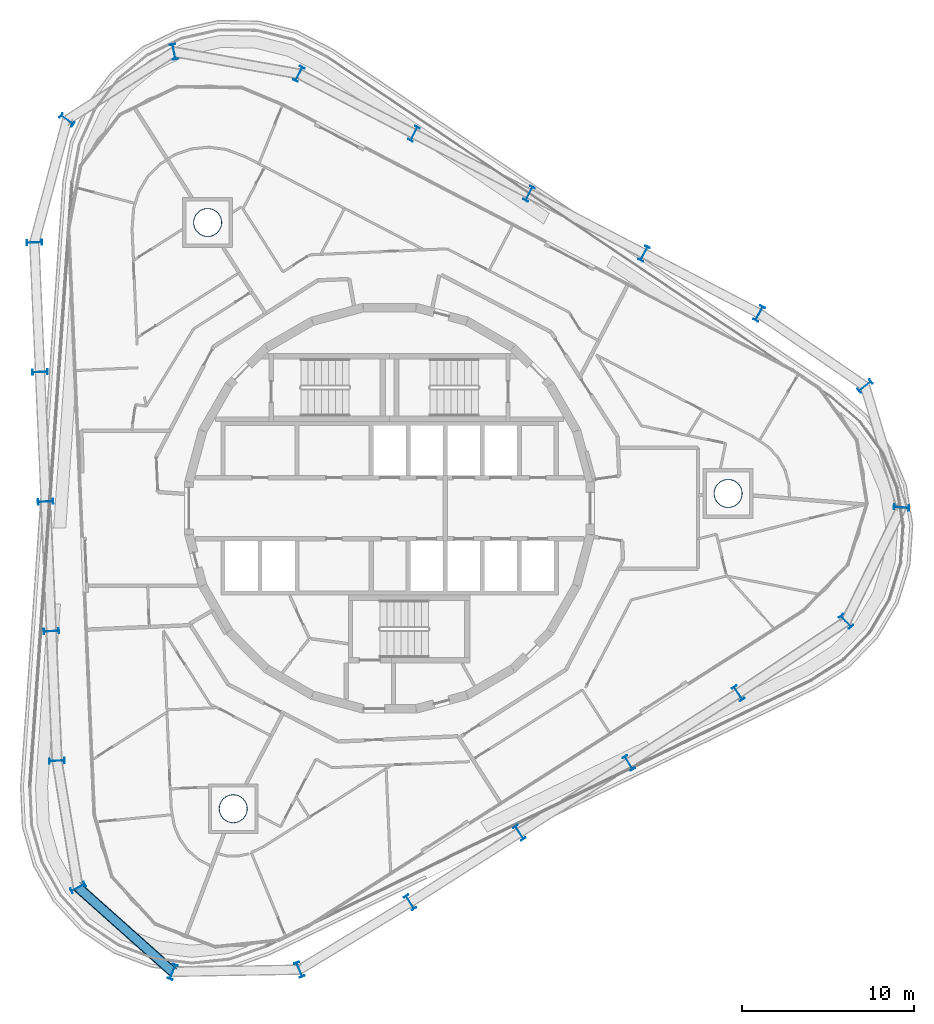
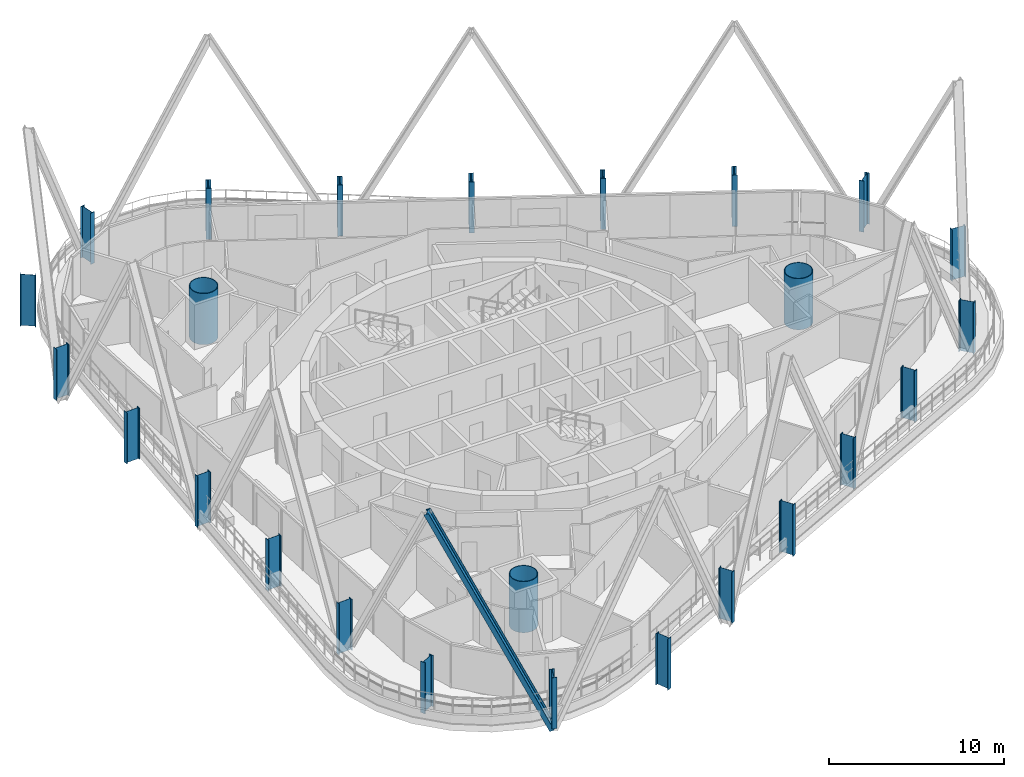
# One storey, part 1 of 20: 25 columns, 1 member.
"""IFC4 building model written with IfcOpenShell, lengths in metres."""

from ifc_helpers import new_model, si_unit, direction, frame, origin, origin_2d, place, context, subcontext, project, spatial, hollow_circle, i_section, extrude, material, material_profile, profile_set, type_object, element, save


model = new_model("IFC4")

# Units and contexts
model_context = context("Model", 3, precision=1e-05, world=origin(), true_north=direction((0.0, 1.0)))
body_context = subcontext(model_context, "Body", "Model", "MODEL_VIEW")
ifc_project = project(units=[si_unit("LENGTHUNIT", "METRE"), si_unit("AREAUNIT", "SQUARE_METRE"), si_unit("VOLUMEUNIT", "CUBIC_METRE"), si_unit("PLANEANGLEUNIT", "RADIAN"), si_unit("MASSUNIT", "GRAM", prefix="KILO")], contexts=[model_context])

# Site, building, storey
site_placement = place(None, origin())
site = spatial("IfcSite", under=ifc_project, at=site_placement, CompositionType="ELEMENT")
building_placement = place(site_placement, origin())
building = spatial("IfcBuilding", under=site, at=building_placement, Name="Spindle Arch Residences", CompositionType="ELEMENT")
storey_placement = place(building_placement, frame((0.0, 0.0, 226.699951171875)))
storey = spatial("IfcBuildingStorey", under=building, at=storey_placement, Name="L57", CompositionType="ELEMENT", Elevation=226.699951171875)

# Columns
ifc_material_1 = material(Name="Steel S460ML, intumescent coating R 240", Category="steel")
ifc_material_profile_1 = material_profile(ifc_material_1, i_section(OverallWidth=0.300048828125, OverallDepth=0.89990234375, WebThickness=0.0185546875, FlangeThickness=0.034912109375, FilletRadius=0.030029296875, at=origin_2d()), Name="HEB 900")
ifc_profile_set_1 = profile_set([ifc_material_profile_1], Name="Steel S460ML, intumescent coating R 240")
column_type_1 = type_object("IfcColumnType", Name="Exoskeleton post HEB 900", PredefinedType="COLUMN", material=ifc_profile_set_1)
for number, where, z_axis, x_axis, name in (
    (1, (13.885986328125, -14.78955078125, -0.449951171875), (0.0, 0.0, 1.0), (-0.843391139633, -0.537300088953, 0.0), "Exoskeleton post 1"),
    (2, (20.23681640625, -10.74365234375, -0.449951171875), (0.0, 0.0, 1.0), (-0.843391139633, -0.537300088953, 0.0), "Exoskeleton post 2"),
    (3, (26.49462890625, -6.569091796875, -0.449951171875), (0.0, 0.0, 1.0), (-0.735346889002, -0.677690897707, 0.0), "Exoskeleton post 3"),
    (4, (29.71728515625, 0.04443359375, -0.449951171875), (0.0, 0.0, 1.0), (-0.080537962999, -0.996751542018, 0.0), "Exoskeleton post 4"),
    (5, (27.598388671875, 7.089599609375, -0.449951171875), (0.0, 0.0, 1.0), (0.617001797175, -0.786961741308, 0.0), "Exoskeleton post 5"),
    (6, (21.449951171875, 11.3076171875, -0.449951171875), (0.0, 0.0, 1.0), (0.887010710334, -0.461748849216, 0.0), "Exoskeleton post 6"),
    (7, (14.770751953125, 14.784423828125, -0.449951171875), (0.0, 0.0, 1.0), (0.887010710334, -0.461748849216, 0.0), "Exoskeleton post 7"),
    (8, (8.09130859375, 18.261474609375, -0.449951171875), (0.0, 0.0, 1.0), (0.887010710334, -0.461748849216, 0.0), "Exoskeleton post 8"),
    (9, (1.412109375, 21.738525390625, -0.449951171875), (0.0, 0.0, 1.0), (0.887010710334, -0.461748849216, 0.0), "Exoskeleton post 9"),
    (10, (-5.26708984375, 25.215576171875, -0.449951171875), (0.0, 0.0, 1.0), (0.887010710334, -0.461748849216, 0.0), "Exoskeleton post 10"),
    (11, (-12.51953125, 26.498046875, -0.449951171875), (0.0, 0.0, 1.0), (0.981152901053, 0.193232980505, 0.0), "Exoskeleton post 11"),
    (12, (-18.724365234375, 22.545166015625, -0.449951171875), (0.0, 0.0, 1.0), (0.589781110017, 0.807563150637, 0.0), "Exoskeleton post 12"),
    (13, (-20.626953125, 15.43017578125, -0.449951171875), (0.0, 0.0, 1.0), (-0.043619010384, 0.999048238041, 0.0), "Exoskeleton post 13"),
    (14, (-20.298583984375, 7.9072265625, -0.449951171875), (0.0, 0.0, 1.0), (-0.043619010384, 0.999048238041, 0.0), "Exoskeleton post 14"),
    (15, (-19.97021484375, 0.38427734375, -0.449951171875), (0.0, 0.0, 1.0), (-0.043619010384, 0.999048238041, 0.0), "Exoskeleton post 15"),
    (16, (-19.6416015625, -7.138671875, -0.449951171875), (0.0, 0.0, 1.0), (-0.043619010384, 0.999048238041, 0.0), "Exoskeleton post 16"),
    (17, (-19.313232421875, -14.66162109375, -0.449951171875), (0.0, 0.0, 1.0), (-0.043619010384, 0.999048238041, 0.0), "Exoskeleton post 17"),
    (18, (-18.089111328125, -22.016357421875, -0.449951171875), (0.0, 0.0, 1.0), (-0.452473836659, 0.89177767809, 0.0), "Exoskeleton post 18"),
    (19, (-12.599365234375, -26.9140625, -0.449951171875), (0.0, 0.0, 1.0), (-0.937400631219, 0.348252863002, 0.0), "Exoskeleton post 19"),
    (20, (-5.243408203125, -26.78857421875, -0.449951171875), (0.0, 0.0, 1.0), (-0.924967647063, -0.380045854978, 0.0), "Exoskeleton post 20"),
    (21, (1.1845703125, -22.88134765625, -0.449951171875), (0.0, 0.0, 1.0), (-0.843391139633, -0.537300088953, 0.0), "Exoskeleton post 21"),
    (22, (7.535400390625, -18.83544921875, -0.449951171875), (0.0, 0.0, 1.0), (-0.843391139633, -0.537300088953, 0.0), "Exoskeleton post 22"),
):
    element("IfcColumn", number, at=place(storey_placement, frame(where, z_axis=z_axis, x_axis=x_axis)), inside=storey, type_object=column_type_1, Name=name, PredefinedType="COLUMN", context=body_context, shape_type="SweptSolid", body=[
        extrude(i_section(OverallWidth=0.300048828125, OverallDepth=0.89990234375, WebThickness=0.0185546875, FlangeThickness=0.034912109375, FilletRadius=0.030029296875, at=origin_2d()), origin(), (0.0, 0.0, 1.0), 3.570068359375),
    ])
ifc_material_2 = material(Name="Concrete C50/60 filled steel tube S460ML, intumescent coating R 240", Category="concrete")
ifc_material_profile_2 = material_profile(ifc_material_2, hollow_circle(Radius=0.824951171875, WallThickness=0.0400390625, at=origin_2d()), Name="CFT D1650x40")
ifc_profile_set_2 = profile_set([ifc_material_profile_2], Name="Concrete C50/60 filled steel tube S460ML, intumescent coating R 240")
column_type_2 = type_object("IfcColumnType", Name="Mega-column CFT D1650x40", PredefinedType="COLUMN", material=ifc_profile_set_2)
for number, where, z_axis, x_axis, name in (
    (23, (19.64990234375, 0.85791015625, -0.449951171875), (0.0, 0.0, 1.0), (1.0, 0.0, 0.0), "Mega-column 1"),
    (24, (-10.568115234375, 16.58837890625, -0.449951171875), (0.0, 0.0, 1.0), (1.0, 0.0, 0.0), "Mega-column 2"),
    (25, (-9.08203125, -17.4462890625, -0.449951171875), (0.0, 0.0, 1.0), (1.0, 0.0, 0.0), "Mega-column 3"),
):
    element("IfcColumn", number, at=place(storey_placement, frame(where, z_axis=z_axis, x_axis=x_axis)), inside=storey, type_object=column_type_2, Name=name, PredefinedType="COLUMN", context=body_context, shape_type="SweptSolid", body=[
        extrude(hollow_circle(Radius=0.824951171875, WallThickness=0.0400390625, at=origin_2d()), origin(), (0.0, 0.0, 1.0), 3.570068359375),
    ])

# Member
ifc_material_3 = material(Name="Steel S460ML, intumescent coating R 240", Category="steel")
ifc_material_profile_3 = material_profile(ifc_material_3, i_section(OverallWidth=0.300048828125, OverallDepth=0.60009765625, WebThickness=0.015380859375, FlangeThickness=0.030029296875, FilletRadius=0.027099609375, at=origin_2d()), Name="HEB 600")
ifc_profile_set_3 = profile_set([ifc_material_profile_3], Name="Steel S460ML, intumescent coating R 240")
member_type = type_object("IfcMemberType", Name="Diagrid diagonal HEB 600", PredefinedType="BRACE", material=ifc_profile_set_3)
member_placement = place(storey_placement, frame((-12.599365234375, -26.9140625, -0.699951171875), z_axis=(-0.34575862879, 0.308470330524, 0.886169862839), x_axis=(0.66125805177, -0.589944755695, 0.463360522915)))
element("IfcMember", 26, at=member_placement, inside=storey, type_object=member_type, Name="Diagrid diagonal 6.1.18", PredefinedType="BRACE", context=body_context, shape_type="SweptSolid", body=[
    extrude(i_section(OverallWidth=0.300048828125, OverallDepth=0.60009765625, WebThickness=0.015380859375, FlangeThickness=0.030029296875, FilletRadius=0.027099609375, at=origin_2d()), origin(), (0.0, 0.0, 1.0), 15.87744140625),
])

save(model, "model.ifc")
